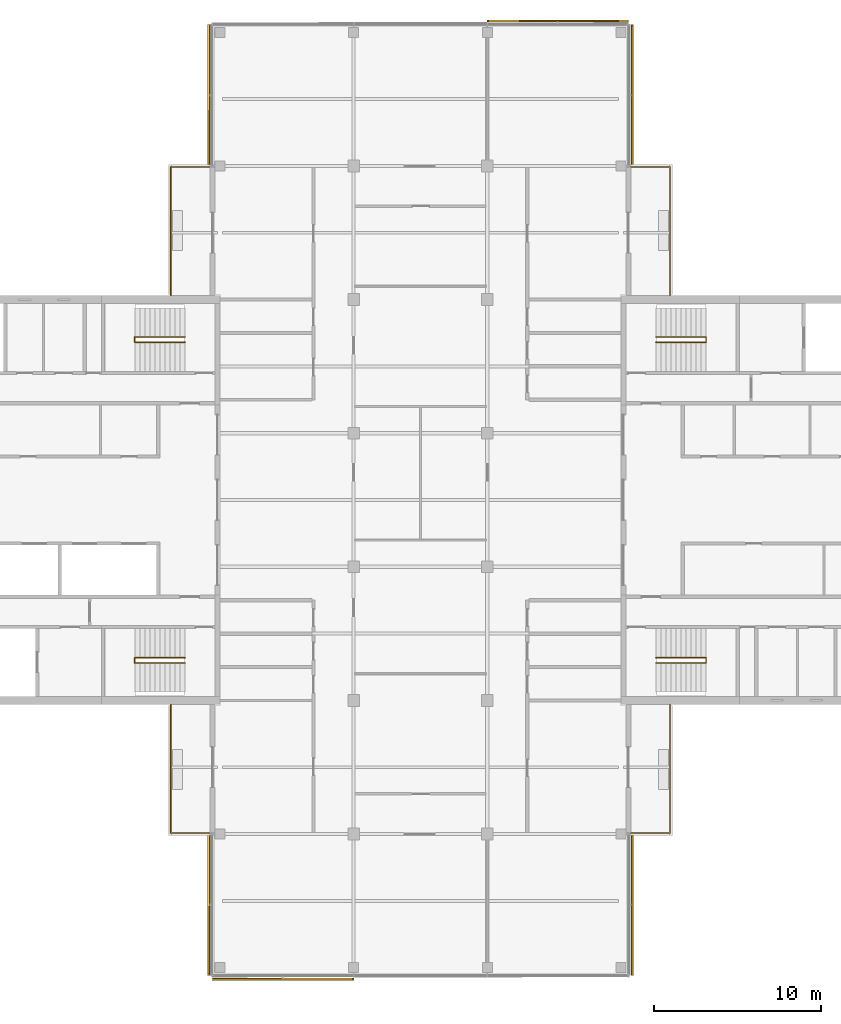
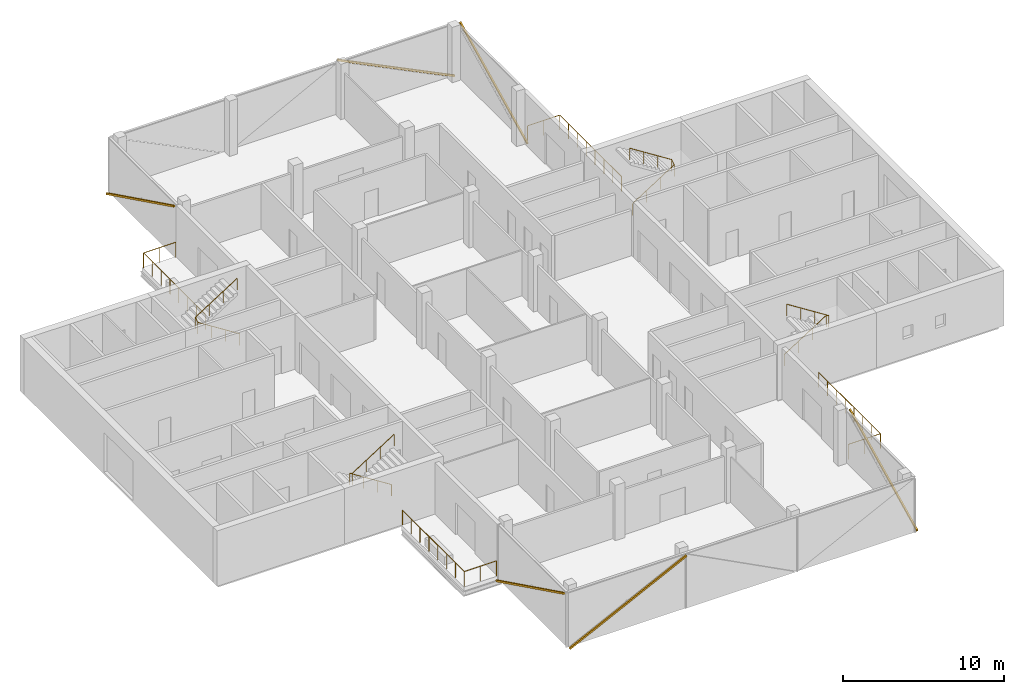
# One storey, part 12 of 12: 8 railings, 6 shading devices, 6 elements without a shape of their own.
"""IFC4 building model written with IfcOpenShell, lengths in metres."""

from ifc_helpers import new_model, si_unit, direction, frame, origin, origin_2d, place, context, subcontext, project, spatial, rectangle, circle, extrude, material, material_profile, profile_set, type_object, element, aggregate, save


model = new_model("IFC4")

# Units and contexts
model_context = context("Model", 3, precision=1e-05, world=origin(), true_north=direction((0.0, 1.0)))
body_context = subcontext(model_context, "Body", "Model", "MODEL_VIEW")
ifc_project = project(units=[si_unit("LENGTHUNIT", "METRE"), si_unit("AREAUNIT", "SQUARE_METRE"), si_unit("VOLUMEUNIT", "CUBIC_METRE"), si_unit("PLANEANGLEUNIT", "RADIAN"), si_unit("MASSUNIT", "GRAM", prefix="KILO")], contexts=[model_context])

# Site, building, storey
site_placement = place(None, origin())
site = spatial("IfcSite", under=ifc_project, at=site_placement, CompositionType="ELEMENT")
building_placement = place(site_placement, origin())
building = spatial("IfcBuilding", under=site, at=building_placement, Name="Crosswind Convention Tower", CompositionType="ELEMENT")
storey_placement = place(building_placement, frame((0.0, 0.0, 245.10009765625)))
storey = spatial("IfcBuildingStorey", under=building, at=storey_placement, Name="L52", CompositionType="ELEMENT", Elevation=245.10009765625)

# Railings
ifc_material_1 = material(Name="Steel and laminated glass balustrade", Category="steel")
railing_type_1 = type_object("IfcRailingType", Name="BALCONY BALUSTRADE 1150", PredefinedType="BALUSTRADE", material=ifc_material_1)
railing_1_placement = place(storey_placement, frame((139.93994140625, 112.25, 0.0)))
element("IfcRailing", 1, at=railing_1_placement, inside=storey, type_object=railing_type_1, Name="R11 winter garden balustrade L52 N-E.1-1", PredefinedType="BALUSTRADE", context=body_context, shape_type="SweptSolid", body=[
    extrude(circle(Radius=0.02392578125, at=origin_2d()), frame((0.0, 0.0, 1.1259765625), z_axis=(0.0, 1.0, 0.0), x_axis=(-1.0, 0.0, 0.0)), (0.0, 0.0, 1.0), 7.68994140625),
    extrude(circle(Radius=0.02392578125, at=origin_2d()), frame((0.0, 7.68994140625, 1.1259765625), z_axis=(-1.0, 0.0, 0.0), x_axis=(0.0, -1.0, 0.0)), (0.0, 0.0, 1.0), 2.31884765625),
    extrude(circle(Radius=0.02099609375, at=origin_2d()), origin(), (0.0, 0.0, 1.0), 1.101806640625),
    extrude(circle(Radius=0.02099609375, at=origin_2d()), frame((0.0, 1.0986328125, 0.0)), (0.0, 0.0, 1.0), 1.101806640625),
    extrude(circle(Radius=0.02099609375, at=origin_2d()), frame((0.0, 2.197021484375, 0.0)), (0.0, 0.0, 1.0), 1.101806640625),
    extrude(circle(Radius=0.02099609375, at=origin_2d()), frame((0.0, 3.295654296875, 0.0)), (0.0, 0.0, 1.0), 1.101806640625),
    extrude(circle(Radius=0.02099609375, at=origin_2d()), frame((0.0, 4.394287109375, 0.0)), (0.0, 0.0, 1.0), 1.101806640625),
    extrude(circle(Radius=0.02099609375, at=origin_2d()), frame((0.0, 5.492919921875, 0.0)), (0.0, 0.0, 1.0), 1.101806640625),
    extrude(circle(Radius=0.02099609375, at=origin_2d()), frame((0.0, 6.59130859375, 0.0)), (0.0, 0.0, 1.0), 1.101806640625),
    extrude(circle(Radius=0.02099609375, at=origin_2d()), frame((0.0, 7.68994140625, 0.0)), (0.0, 0.0, 1.0), 1.101806640625),
    extrude(circle(Radius=0.02099609375, at=origin_2d()), frame((-1.159423828125, 7.68994140625, 0.0)), (0.0, 0.0, 1.0), 1.101806640625),
    extrude(circle(Radius=0.02099609375, at=origin_2d()), frame((-2.31884765625, 7.68994140625, 0.0)), (0.0, 0.0, 1.0), 1.101806640625),
])
railing_2_placement = place(storey_placement, frame((110.06005859375, 112.25, 0.0)))
element("IfcRailing", 2, at=railing_2_placement, inside=storey, type_object=railing_type_1, Name="R11 winter garden balustrade L52 N-W.1-2", PredefinedType="BALUSTRADE", context=body_context, shape_type="SweptSolid", body=[
    extrude(circle(Radius=0.02392578125, at=origin_2d()), frame((0.0, 0.0, 1.1259765625), z_axis=(0.0, 1.0, 0.0), x_axis=(-1.0, 0.0, 0.0)), (0.0, 0.0, 1.0), 7.68994140625),
    extrude(circle(Radius=0.02392578125, at=origin_2d()), frame((0.0, 7.68994140625, 1.1259765625), z_axis=(1.0, 0.0, 0.0), x_axis=(0.0, 1.0, 0.0)), (0.0, 0.0, 1.0), 2.31884765625),
    extrude(circle(Radius=0.02099609375, at=origin_2d()), origin(), (0.0, 0.0, 1.0), 1.101806640625),
    extrude(circle(Radius=0.02099609375, at=origin_2d()), frame((0.0, 1.0986328125, 0.0)), (0.0, 0.0, 1.0), 1.101806640625),
    extrude(circle(Radius=0.02099609375, at=origin_2d()), frame((0.0, 2.197021484375, 0.0)), (0.0, 0.0, 1.0), 1.101806640625),
    extrude(circle(Radius=0.02099609375, at=origin_2d()), frame((0.0, 3.295654296875, 0.0)), (0.0, 0.0, 1.0), 1.101806640625),
    extrude(circle(Radius=0.02099609375, at=origin_2d()), frame((0.0, 4.394287109375, 0.0)), (0.0, 0.0, 1.0), 1.101806640625),
    extrude(circle(Radius=0.02099609375, at=origin_2d()), frame((0.0, 5.492919921875, 0.0)), (0.0, 0.0, 1.0), 1.101806640625),
    extrude(circle(Radius=0.02099609375, at=origin_2d()), frame((0.0, 6.59130859375, 0.0)), (0.0, 0.0, 1.0), 1.101806640625),
    extrude(circle(Radius=0.02099609375, at=origin_2d()), frame((0.0, 7.68994140625, 0.0)), (0.0, 0.0, 1.0), 1.101806640625),
    extrude(circle(Radius=0.02099609375, at=origin_2d()), frame((1.159423828125, 7.68994140625, 0.0)), (0.0, 0.0, 1.0), 1.101806640625),
    extrude(circle(Radius=0.02099609375, at=origin_2d()), frame((2.31884765625, 7.68994140625, 0.0)), (0.0, 0.0, 1.0), 1.101806640625),
])
railing_3_placement = place(storey_placement, frame((110.06005859375, 87.75, 0.0)))
element("IfcRailing", 3, at=railing_3_placement, inside=storey, type_object=railing_type_1, Name="R11 winter garden balustrade L52 S-W.1-1", PredefinedType="BALUSTRADE", context=body_context, shape_type="SweptSolid", body=[
    extrude(circle(Radius=0.02392578125, at=origin_2d()), frame((0.0, 0.0, 1.1259765625), z_axis=(0.0, -1.0, 0.0), x_axis=(1.0, 0.0, 0.0)), (0.0, 0.0, 1.0), 7.68994140625),
    extrude(circle(Radius=0.02392578125, at=origin_2d()), frame((0.0, -7.68994140625, 1.1259765625), z_axis=(1.0, 0.0, 0.0), x_axis=(0.0, 1.0, 0.0)), (0.0, 0.0, 1.0), 2.31884765625),
    extrude(circle(Radius=0.02099609375, at=origin_2d()), origin(), (0.0, 0.0, 1.0), 1.101806640625),
    extrude(circle(Radius=0.02099609375, at=origin_2d()), frame((0.0, -1.0986328125, 0.0)), (0.0, 0.0, 1.0), 1.101806640625),
    extrude(circle(Radius=0.02099609375, at=origin_2d()), frame((0.0, -2.197021484375, 0.0)), (0.0, 0.0, 1.0), 1.101806640625),
    extrude(circle(Radius=0.02099609375, at=origin_2d()), frame((0.0, -3.295654296875, 0.0)), (0.0, 0.0, 1.0), 1.101806640625),
    extrude(circle(Radius=0.02099609375, at=origin_2d()), frame((0.0, -4.394287109375, 0.0)), (0.0, 0.0, 1.0), 1.101806640625),
    extrude(circle(Radius=0.02099609375, at=origin_2d()), frame((0.0, -5.492919921875, 0.0)), (0.0, 0.0, 1.0), 1.101806640625),
    extrude(circle(Radius=0.02099609375, at=origin_2d()), frame((0.0, -6.59130859375, 0.0)), (0.0, 0.0, 1.0), 1.101806640625),
    extrude(circle(Radius=0.02099609375, at=origin_2d()), frame((0.0, -7.68994140625, 0.0)), (0.0, 0.0, 1.0), 1.101806640625),
    extrude(circle(Radius=0.02099609375, at=origin_2d()), frame((1.159423828125, -7.68994140625, 0.0)), (0.0, 0.0, 1.0), 1.101806640625),
    extrude(circle(Radius=0.02099609375, at=origin_2d()), frame((2.31884765625, -7.68994140625, 0.0)), (0.0, 0.0, 1.0), 1.101806640625),
])
railing_4_placement = place(storey_placement, frame((139.93994140625, 87.75, 0.0)))
element("IfcRailing", 4, at=railing_4_placement, inside=storey, type_object=railing_type_1, Name="R11 winter garden balustrade L52 S-E.1-2", PredefinedType="BALUSTRADE", context=body_context, shape_type="SweptSolid", body=[
    extrude(circle(Radius=0.02392578125, at=origin_2d()), frame((0.0, 0.0, 1.1259765625), z_axis=(0.0, -1.0, 0.0), x_axis=(1.0, 0.0, 0.0)), (0.0, 0.0, 1.0), 7.68994140625),
    extrude(circle(Radius=0.02392578125, at=origin_2d()), frame((0.0, -7.68994140625, 1.1259765625), z_axis=(-1.0, 0.0, 0.0), x_axis=(0.0, -1.0, 0.0)), (0.0, 0.0, 1.0), 2.31884765625),
    extrude(circle(Radius=0.02099609375, at=origin_2d()), origin(), (0.0, 0.0, 1.0), 1.101806640625),
    extrude(circle(Radius=0.02099609375, at=origin_2d()), frame((0.0, -1.0986328125, 0.0)), (0.0, 0.0, 1.0), 1.101806640625),
    extrude(circle(Radius=0.02099609375, at=origin_2d()), frame((0.0, -2.197021484375, 0.0)), (0.0, 0.0, 1.0), 1.101806640625),
    extrude(circle(Radius=0.02099609375, at=origin_2d()), frame((0.0, -3.295654296875, 0.0)), (0.0, 0.0, 1.0), 1.101806640625),
    extrude(circle(Radius=0.02099609375, at=origin_2d()), frame((0.0, -4.394287109375, 0.0)), (0.0, 0.0, 1.0), 1.101806640625),
    extrude(circle(Radius=0.02099609375, at=origin_2d()), frame((0.0, -5.492919921875, 0.0)), (0.0, 0.0, 1.0), 1.101806640625),
    extrude(circle(Radius=0.02099609375, at=origin_2d()), frame((0.0, -6.59130859375, 0.0)), (0.0, 0.0, 1.0), 1.101806640625),
    extrude(circle(Radius=0.02099609375, at=origin_2d()), frame((0.0, -7.68994140625, 0.0)), (0.0, 0.0, 1.0), 1.101806640625),
    extrude(circle(Radius=0.02099609375, at=origin_2d()), frame((-1.159423828125, -7.68994140625, 0.0)), (0.0, 0.0, 1.0), 1.101806640625),
    extrude(circle(Radius=0.02099609375, at=origin_2d()), frame((-2.31884765625, -7.68994140625, 0.0)), (0.0, 0.0, 1.0), 1.101806640625),
])
ifc_material_2 = material(Name="Stainless steel", Category="steel")
railing_type_2 = type_object("IfcRailingType", Name="Stair handrail 900", PredefinedType="HANDRAIL", material=ifc_material_2)
railing_5_placement = place(storey_placement, frame((139.10009765625, 109.43994140625, 0.19091796875)))
element("IfcRailing", 5, at=railing_5_placement, inside=storey, type_object=railing_type_2, Name="Stair ST1 handrail L52", PredefinedType="HANDRAIL", context=body_context, shape_type="SweptSolid", body=[
    extrude(circle(Radius=0.02392578125, at=origin_2d()), frame((0.0, 0.0, 0.8759765625), z_axis=(0.843681277094, 0.0, 0.536844393359), x_axis=(0.0, 1.0, 0.0)), (0.0, 0.0, 1.0), 3.555908203125),
    extrude(circle(Radius=0.02392578125, at=origin_2d()), frame((3.0, 0.0, 2.78466796875), z_axis=(0.0, 0.858819504967, 0.512278301208), x_axis=(-1.0, 0.0, 0.0)), (0.0, 0.0, 1.0), 0.372802734375),
    extrude(circle(Radius=0.02392578125, at=origin_2d()), frame((3.0, 0.320068359375, 2.9755859375), z_axis=(-0.843650179428, 0.0, 0.536893261973), x_axis=(0.0, -1.0, 0.0)), (0.0, 0.0, 1.0), 3.555908203125),
    extrude(circle(Radius=0.02099609375, at=origin_2d()), origin(), (0.0, 0.0, 1.0), 0.851806640625),
    extrude(circle(Radius=0.02099609375, at=origin_2d()), frame((1.0, 0.0, 0.63623046875)), (0.0, 0.0, 1.0), 0.851806640625),
    extrude(circle(Radius=0.02099609375, at=origin_2d()), frame((2.0, 0.0, 1.272705078125)), (0.0, 0.0, 1.0), 0.851806640625),
    extrude(circle(Radius=0.02099609375, at=origin_2d()), frame((3.0, 0.0, 1.908935546875)), (0.0, 0.0, 1.0), 0.851806640625),
    extrude(circle(Radius=0.02099609375, at=origin_2d()), frame((3.0, 0.320068359375, 2.099853515625)), (0.0, 0.0, 1.0), 0.851806640625),
    extrude(circle(Radius=0.02099609375, at=origin_2d()), frame((2.0, 0.320068359375, 2.736328125)), (0.0, 0.0, 1.0), 0.851806640625),
    extrude(circle(Radius=0.02099609375, at=origin_2d()), frame((1.0, 0.320068359375, 3.37255859375)), (0.0, 0.0, 1.0), 0.851806640625),
    extrude(circle(Radius=0.02099609375, at=origin_2d()), frame((0.0, 0.320068359375, 4.009033203125)), (0.0, 0.0, 1.0), 0.851806640625),
])
railing_6_placement = place(storey_placement, frame((139.10009765625, 90.56005859375, 0.19091796875)))
element("IfcRailing", 6, at=railing_6_placement, inside=storey, type_object=railing_type_2, Name="Stair ST2 handrail L52", PredefinedType="HANDRAIL", context=body_context, shape_type="SweptSolid", body=[
    extrude(circle(Radius=0.02392578125, at=origin_2d()), frame((0.0, 0.0, 0.8759765625), z_axis=(0.843681277094, 0.0, 0.536844393359), x_axis=(0.0, 1.0, 0.0)), (0.0, 0.0, 1.0), 3.555908203125),
    extrude(circle(Radius=0.02392578125, at=origin_2d()), frame((3.0, 0.0, 2.78466796875), z_axis=(0.0, -0.858819504967, 0.512278301208), x_axis=(1.0, 0.0, 0.0)), (0.0, 0.0, 1.0), 0.372802734375),
    extrude(circle(Radius=0.02392578125, at=origin_2d()), frame((3.0, -0.320068359375, 2.9755859375), z_axis=(-0.843650179428, 0.0, 0.536893261973), x_axis=(0.0, -1.0, 0.0)), (0.0, 0.0, 1.0), 3.555908203125),
    extrude(circle(Radius=0.02099609375, at=origin_2d()), origin(), (0.0, 0.0, 1.0), 0.851806640625),
    extrude(circle(Radius=0.02099609375, at=origin_2d()), frame((1.0, 0.0, 0.63623046875)), (0.0, 0.0, 1.0), 0.851806640625),
    extrude(circle(Radius=0.02099609375, at=origin_2d()), frame((2.0, 0.0, 1.272705078125)), (0.0, 0.0, 1.0), 0.851806640625),
    extrude(circle(Radius=0.02099609375, at=origin_2d()), frame((3.0, 0.0, 1.908935546875)), (0.0, 0.0, 1.0), 0.851806640625),
    extrude(circle(Radius=0.02099609375, at=origin_2d()), frame((3.0, -0.320068359375, 2.099853515625)), (0.0, 0.0, 1.0), 0.851806640625),
    extrude(circle(Radius=0.02099609375, at=origin_2d()), frame((2.0, -0.320068359375, 2.736328125)), (0.0, 0.0, 1.0), 0.851806640625),
    extrude(circle(Radius=0.02099609375, at=origin_2d()), frame((1.0, -0.320068359375, 3.37255859375)), (0.0, 0.0, 1.0), 0.851806640625),
    extrude(circle(Radius=0.02099609375, at=origin_2d()), frame((0.0, -0.320068359375, 4.009033203125)), (0.0, 0.0, 1.0), 0.851806640625),
])
railing_7_placement = place(storey_placement, frame((110.89990234375, 90.56005859375, 0.19091796875)))
element("IfcRailing", 7, at=railing_7_placement, inside=storey, type_object=railing_type_2, Name="Stair ST3 handrail L52", PredefinedType="HANDRAIL", context=body_context, shape_type="SweptSolid", body=[
    extrude(circle(Radius=0.02392578125, at=origin_2d()), frame((0.0, 0.0, 0.8759765625), z_axis=(-0.843681277094, 0.0, 0.536844393359), x_axis=(0.0, -1.0, 0.0)), (0.0, 0.0, 1.0), 3.555908203125),
    extrude(circle(Radius=0.02392578125, at=origin_2d()), frame((-3.0, 0.0, 2.78466796875), z_axis=(0.0, -0.858819504967, 0.512278301208), x_axis=(1.0, 0.0, 0.0)), (0.0, 0.0, 1.0), 0.372802734375),
    extrude(circle(Radius=0.02392578125, at=origin_2d()), frame((-3.0, -0.320068359375, 2.9755859375), z_axis=(0.843650179428, 0.0, 0.536893261973), x_axis=(0.0, 1.0, 0.0)), (0.0, 0.0, 1.0), 3.555908203125),
    extrude(circle(Radius=0.02099609375, at=origin_2d()), origin(), (0.0, 0.0, 1.0), 0.851806640625),
    extrude(circle(Radius=0.02099609375, at=origin_2d()), frame((-1.0, 0.0, 0.63623046875)), (0.0, 0.0, 1.0), 0.851806640625),
    extrude(circle(Radius=0.02099609375, at=origin_2d()), frame((-2.0, 0.0, 1.272705078125)), (0.0, 0.0, 1.0), 0.851806640625),
    extrude(circle(Radius=0.02099609375, at=origin_2d()), frame((-3.0, 0.0, 1.908935546875)), (0.0, 0.0, 1.0), 0.851806640625),
    extrude(circle(Radius=0.02099609375, at=origin_2d()), frame((-3.0, -0.320068359375, 2.099853515625)), (0.0, 0.0, 1.0), 0.851806640625),
    extrude(circle(Radius=0.02099609375, at=origin_2d()), frame((-2.0, -0.320068359375, 2.736328125)), (0.0, 0.0, 1.0), 0.851806640625),
    extrude(circle(Radius=0.02099609375, at=origin_2d()), frame((-1.0, -0.320068359375, 3.37255859375)), (0.0, 0.0, 1.0), 0.851806640625),
    extrude(circle(Radius=0.02099609375, at=origin_2d()), frame((0.0, -0.320068359375, 4.009033203125)), (0.0, 0.0, 1.0), 0.851806640625),
])
railing_8_placement = place(storey_placement, frame((110.89990234375, 109.43994140625, 0.19091796875)))
element("IfcRailing", 8, at=railing_8_placement, inside=storey, type_object=railing_type_2, Name="Stair ST4 handrail L52", PredefinedType="HANDRAIL", context=body_context, shape_type="SweptSolid", body=[
    extrude(circle(Radius=0.02392578125, at=origin_2d()), frame((0.0, 0.0, 0.8759765625), z_axis=(-0.843681277094, 0.0, 0.536844393359), x_axis=(0.0, -1.0, 0.0)), (0.0, 0.0, 1.0), 3.555908203125),
    extrude(circle(Radius=0.02392578125, at=origin_2d()), frame((-3.0, 0.0, 2.78466796875), z_axis=(0.0, 0.858819504967, 0.512278301208), x_axis=(-1.0, 0.0, 0.0)), (0.0, 0.0, 1.0), 0.372802734375),
    extrude(circle(Radius=0.02392578125, at=origin_2d()), frame((-3.0, 0.320068359375, 2.9755859375), z_axis=(0.843650179428, 0.0, 0.536893261973), x_axis=(0.0, 1.0, 0.0)), (0.0, 0.0, 1.0), 3.555908203125),
    extrude(circle(Radius=0.02099609375, at=origin_2d()), origin(), (0.0, 0.0, 1.0), 0.851806640625),
    extrude(circle(Radius=0.02099609375, at=origin_2d()), frame((-1.0, 0.0, 0.63623046875)), (0.0, 0.0, 1.0), 0.851806640625),
    extrude(circle(Radius=0.02099609375, at=origin_2d()), frame((-2.0, 0.0, 1.272705078125)), (0.0, 0.0, 1.0), 0.851806640625),
    extrude(circle(Radius=0.02099609375, at=origin_2d()), frame((-3.0, 0.0, 1.908935546875)), (0.0, 0.0, 1.0), 0.851806640625),
    extrude(circle(Radius=0.02099609375, at=origin_2d()), frame((-3.0, 0.320068359375, 2.099853515625)), (0.0, 0.0, 1.0), 0.851806640625),
    extrude(circle(Radius=0.02099609375, at=origin_2d()), frame((-2.0, 0.320068359375, 2.736328125)), (0.0, 0.0, 1.0), 0.851806640625),
    extrude(circle(Radius=0.02099609375, at=origin_2d()), frame((-1.0, 0.320068359375, 3.37255859375)), (0.0, 0.0, 1.0), 0.851806640625),
    extrude(circle(Radius=0.02099609375, at=origin_2d()), frame((0.0, 0.320068359375, 4.009033203125)), (0.0, 0.0, 1.0), 0.851806640625),
])

# Curtain wall, shading device
ifc_material_3 = material(Name="Aluminium unitised curtain wall", Category="aluminium")
curtain_wall_type = type_object("IfcCurtainWallType", Name="OFFICE UNITISED WALL 220", PredefinedType="USERDEFINED", material=ifc_material_3)
curtain_wall_1_placement = place(storey_placement, origin())
curtain_wall_1 = element("IfcCurtainWall", 9, at=curtain_wall_1_placement, inside=storey, type_object=curtain_wall_type, Name="CW3 L52 N-E 1", ObjectType="UNITISED", PredefinedType="USERDEFINED")
ifc_material_4 = material(Name="Extruded terracotta", Category="masonry")
ifc_material_profile = material_profile(ifc_material_4, rectangle(XDim=0.110107421875, YDim=0.1298828125, at=origin_2d()), Name="TC 110X130")
ifc_profile_set = profile_set([ifc_material_profile], Name="Extruded terracotta")
shading_device_type = type_object("IfcShadingDeviceType", Name="TERRACOTTA BAGUETTE 130X110", PredefinedType="USERDEFINED", material=ifc_profile_set)
shading_device_1_placement = place(storey_placement, frame((137.680908203125, 120.034912109375, -0.300048828125), z_axis=(0.0, 0.897198049762, 0.441628417907), x_axis=(-1.0, 0.0, 0.0)))
shading_device_1 = element("IfcShadingDevice", 10, at=shading_device_1_placement, type_object=shading_device_type, Name="CW3 terracotta baguette 1", ObjectType="BAGUETTE", PredefinedType="USERDEFINED", context=body_context, shape_type="SweptSolid", body=[
    extrude(rectangle(XDim=0.110107421875, YDim=0.1298828125, at=origin_2d()), origin(), (0.0, 0.0, 1.0), 9.3515625),
])
aggregate(curtain_wall_1, [shading_device_1])

curtain_wall_2_placement = place(storey_placement, origin())
curtain_wall_2 = element("IfcCurtainWall", 11, at=curtain_wall_2_placement, inside=storey, type_object=curtain_wall_type, Name="CW3 L52 N-TIP 1", ObjectType="UNITISED", PredefinedType="USERDEFINED")
shading_device_2_placement = place(storey_placement, frame((137.425048828125, 128.680908203125, -0.300048828125), z_axis=(-0.897198049762, 0.0, 0.441628417907), x_axis=(0.0, -1.0, 0.0)))
shading_device_2 = element("IfcShadingDevice", 12, at=shading_device_2_placement, type_object=shading_device_type, Name="CW3 terracotta baguette 1", ObjectType="BAGUETTE", PredefinedType="USERDEFINED", context=body_context, shape_type="SweptSolid", body=[
    extrude(rectangle(XDim=0.110107421875, YDim=0.1298828125, at=origin_2d()), origin(), (0.0, 0.0, 1.0), 9.3515625),
])
aggregate(curtain_wall_2, [shading_device_2])

curtain_wall_3_placement = place(storey_placement, origin())
curtain_wall_3 = element("IfcCurtainWall", 13, at=curtain_wall_3_placement, inside=storey, type_object=curtain_wall_type, Name="CW3 L52 N-W 1", ObjectType="UNITISED", PredefinedType="USERDEFINED")
shading_device_3_placement = place(storey_placement, frame((112.319091796875, 128.425048828125, -0.300048828125), z_axis=(0.0, -0.897198049762, 0.441628417907), x_axis=(1.0, 0.0, 0.0)))
shading_device_3 = element("IfcShadingDevice", 14, at=shading_device_3_placement, type_object=shading_device_type, Name="CW3 terracotta baguette 1", ObjectType="BAGUETTE", PredefinedType="USERDEFINED", context=body_context, shape_type="SweptSolid", body=[
    extrude(rectangle(XDim=0.110107421875, YDim=0.1298828125, at=origin_2d()), origin(), (0.0, 0.0, 1.0), 9.3515625),
])
aggregate(curtain_wall_3, [shading_device_3])

curtain_wall_4_placement = place(storey_placement, origin())
curtain_wall_4 = element("IfcCurtainWall", 15, at=curtain_wall_4_placement, inside=storey, type_object=curtain_wall_type, Name="CW3 L52 S-W 1", ObjectType="UNITISED", PredefinedType="USERDEFINED")
shading_device_4_placement = place(storey_placement, frame((112.319091796875, 79.965087890625, -0.300048828125), z_axis=(0.0, -0.897198049762, 0.441628417907), x_axis=(1.0, 0.0, 0.0)))
shading_device_4 = element("IfcShadingDevice", 16, at=shading_device_4_placement, type_object=shading_device_type, Name="CW3 terracotta baguette 1", ObjectType="BAGUETTE", PredefinedType="USERDEFINED", context=body_context, shape_type="SweptSolid", body=[
    extrude(rectangle(XDim=0.110107421875, YDim=0.1298828125, at=origin_2d()), origin(), (0.0, 0.0, 1.0), 9.3515625),
])
aggregate(curtain_wall_4, [shading_device_4])

curtain_wall_5_placement = place(storey_placement, origin())
curtain_wall_5 = element("IfcCurtainWall", 17, at=curtain_wall_5_placement, inside=storey, type_object=curtain_wall_type, Name="CW3 L52 S-TIP 1", ObjectType="UNITISED", PredefinedType="USERDEFINED")
shading_device_5_placement = place(storey_placement, frame((112.574951171875, 71.319091796875, -0.300048828125), z_axis=(0.897198049762, 0.0, 0.441628417907), x_axis=(0.0, 1.0, 0.0)))
shading_device_5 = element("IfcShadingDevice", 18, at=shading_device_5_placement, type_object=shading_device_type, Name="CW3 terracotta baguette 1", ObjectType="BAGUETTE", PredefinedType="USERDEFINED", context=body_context, shape_type="SweptSolid", body=[
    extrude(rectangle(XDim=0.110107421875, YDim=0.1298828125, at=origin_2d()), origin(), (0.0, 0.0, 1.0), 9.3515625),
])
aggregate(curtain_wall_5, [shading_device_5])

curtain_wall_6_placement = place(storey_placement, origin())
curtain_wall_6 = element("IfcCurtainWall", 19, at=curtain_wall_6_placement, inside=storey, type_object=curtain_wall_type, Name="CW3 L52 S-E 1", ObjectType="UNITISED", PredefinedType="USERDEFINED")
shading_device_6_placement = place(storey_placement, frame((137.680908203125, 71.574951171875, -0.300048828125), z_axis=(0.0, 0.897198049762, 0.441628417907), x_axis=(-1.0, 0.0, 0.0)))
shading_device_6 = element("IfcShadingDevice", 20, at=shading_device_6_placement, type_object=shading_device_type, Name="CW3 terracotta baguette 1", ObjectType="BAGUETTE", PredefinedType="USERDEFINED", context=body_context, shape_type="SweptSolid", body=[
    extrude(rectangle(XDim=0.110107421875, YDim=0.1298828125, at=origin_2d()), origin(), (0.0, 0.0, 1.0), 9.3515625),
])
aggregate(curtain_wall_6, [shading_device_6])

save(model, "model.ifc")
